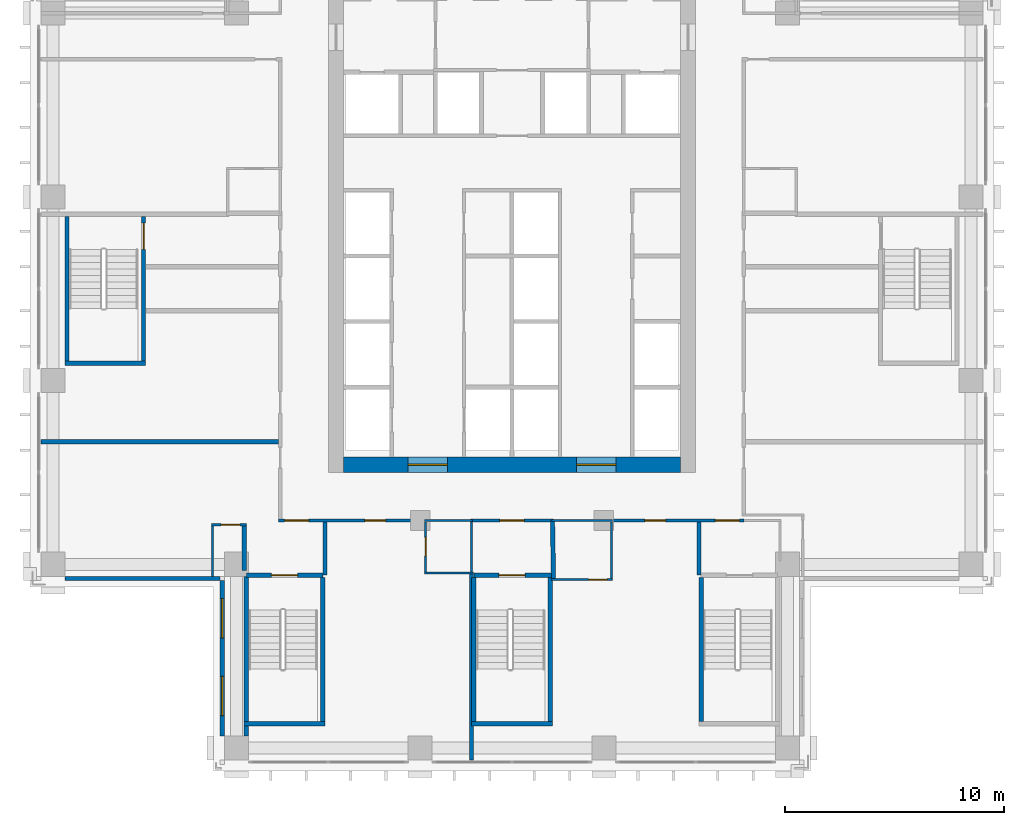
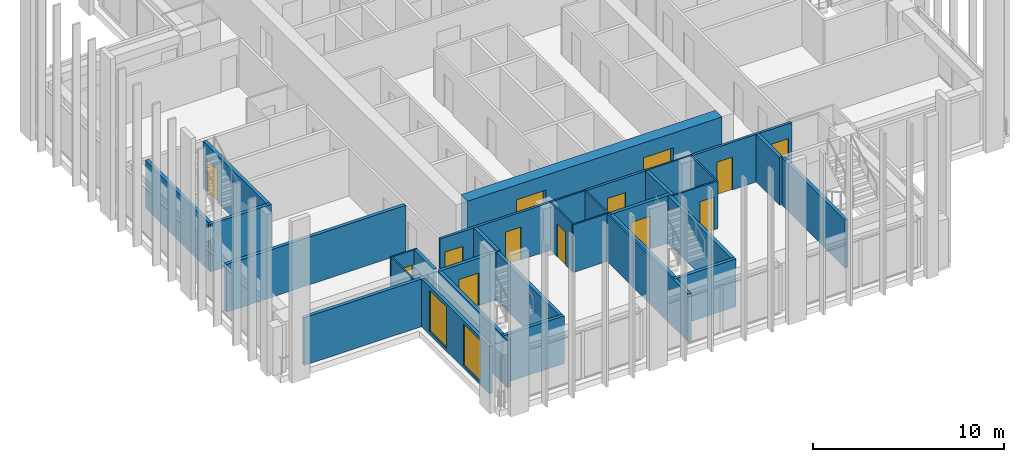
# One storey, part 9 of 16: 33 walls, 13 doors, 2 windows, 15 openings.
"""IFC4 building model written with IfcOpenShell, lengths in metres."""

import ifcopenshell
import ifcopenshell.guid

model = None  # the IFC model being written
_history = None  # IfcOwnerHistory: only IFC2X3 demands one
_inside = {}  # id of a spatial element -> (the spatial element, [elements in it])
_under = {}  # id of a project, library or spatial element -> (it, [spatial elements below it])
_declared = {}  # id of a project -> (the project, [libraries it declares])
_typed = {}  # id of a type object -> (the type object, [elements of that type])
_made_of = {}  # id of a material, layer set ... -> (it, [elements and type objects made of it])


def new_model(schema):
    """Start an empty IFC model of exactly this schema.

    Asked for "IFC4X3", IfcOpenShell would pick the latest addendum, in which some entities
    have other attributes; the version numbers below select the first issue.
    IFC2X3 requires an IfcOwnerHistory on every rooted entity: one is made here for all.
    """
    global model, _history
    if schema == "IFC4X3":
        model = ifcopenshell.file(schema_version=(4, 3, 0, 0))
    else:
        model = ifcopenshell.file(schema=schema)
    _inside.clear()
    _under.clear()
    _declared.clear()
    _typed.clear()
    _made_of.clear()
    _history = None
    if model.schema == "IFC2X3":
        org = make("IfcOrganization", Name="unknown")
        user = make(
            "IfcPersonAndOrganization",
            ThePerson=make("IfcPerson", FamilyName="unknown"),
            TheOrganization=org,
        )
        app = make(
            "IfcApplication",
            ApplicationDeveloper=org,
            Version="unknown",
            ApplicationFullName="unknown",
            ApplicationIdentifier="unknown",
        )
        _history = make(
            "IfcOwnerHistory",
            OwningUser=user,
            OwningApplication=app,
            ChangeAction="ADDED",
            CreationDate=0,
        )
    return model


def make(cls, **values):
    """One entity of the class cls with the attributes given. An attribute that is None is left unset."""
    return model.create_entity(
        cls, **{name: value for name, value in values.items() if value is not None}
    )


def rooted(cls, **values):
    """An entity with a GlobalId (a new one), such as an element, a storey or a relation."""
    return make(cls, GlobalId=ifcopenshell.guid.new(), OwnerHistory=_history, **values)


def si_unit(unit_type, name, prefix=None):
    """IfcSIUnit, for example si_unit("LENGTHUNIT", "METRE", prefix="MILLI")."""
    return make("IfcSIUnit", UnitType=unit_type, Prefix=prefix, Name=name)


def assignment(units):
    """IfcUnitAssignment: the units of a project."""
    return None if units is None else make("IfcUnitAssignment", Units=units)


def point(xyz):
    """IfcCartesianPoint."""
    return None if xyz is None else make("IfcCartesianPoint", Coordinates=xyz)


def direction(xyz):
    """IfcDirection."""
    return None if xyz is None else make("IfcDirection", DirectionRatios=xyz)


def frame(location, z_axis=None, x_axis=None):
    """IfcAxis2Placement3D, a coordinate frame: its origin and axes. An axis left out is left unset."""
    return make(
        "IfcAxis2Placement3D",
        Location=point(location),
        Axis=direction(z_axis),
        RefDirection=direction(x_axis),
    )


def frame_2d(location, x_axis=None):
    """IfcAxis2Placement2D, a coordinate frame in the plane: its origin and x axis."""
    return make(
        "IfcAxis2Placement2D", Location=point(location), RefDirection=direction(x_axis)
    )


def origin():
    """The frame at (0, 0, 0) with its axes left unset."""
    return frame((0.0, 0.0, 0.0))


def place(relative_to, where):
    """IfcLocalPlacement: puts the frame where relative to a parent placement (None: the world)."""
    return make(
        "IfcLocalPlacement", PlacementRelTo=relative_to, RelativePlacement=where
    )


def context(
    kind, dimensions, precision=None, world=None, true_north=None, identifier=None
):
    """IfcGeometricRepresentationContext, for example the 3D "Model" context."""
    return make(
        "IfcGeometricRepresentationContext",
        ContextIdentifier=identifier,
        ContextType=kind,
        CoordinateSpaceDimension=dimensions,
        Precision=precision,
        WorldCoordinateSystem=world,
        TrueNorth=true_north,
    )


def subcontext(parent, identifier, kind, view, scale=None):
    """IfcGeometricRepresentationSubContext, for example "Body" below "Model"."""
    return make(
        "IfcGeometricRepresentationSubContext",
        ContextIdentifier=identifier,
        ContextType=kind,
        ParentContext=parent,
        TargetScale=scale,
        TargetView=view,
    )


def project(units=None, contexts=None):
    """IfcProject with its units and contexts."""
    return rooted(
        "IfcProject",
        Name="project",
        RepresentationContexts=contexts,
        UnitsInContext=assignment(units),
    )


def spatial(cls, under=None, at=None, **own):
    """A site, building, storey or space (cls), placed at a placement, below another one or the project."""
    s = rooted(cls, ObjectPlacement=at, **own)
    if under is not None:
        _under.setdefault(under.id(), (under, []))[1].append(s)
    return s


def profile(cls, at=None, kind="AREA", **sizes):
    """A parametric profile (cls). Its sizes go by their IFC names, for example OverallWidth=200.0."""
    return make(cls, ProfileType=kind, Position=at, **sizes)


def rectangle(**sizes):
    """IfcRectangleProfileDef."""
    return profile("IfcRectangleProfileDef", **sizes)


def extrude(swept, where, along, depth):
    """IfcExtrudedAreaSolid: the profile swept, set in the frame where, extruded along a direction by depth."""
    return make(
        "IfcExtrudedAreaSolid",
        SweptArea=swept,
        Position=where,
        ExtrudedDirection=direction(along),
        Depth=depth,
    )


def shape(context_of_items, identifier, shape_type, items):
    """IfcShapeRepresentation: the items that make up one representation, for example the "Body"."""
    return make(
        "IfcShapeRepresentation",
        ContextOfItems=context_of_items,
        RepresentationIdentifier=identifier,
        RepresentationType=shape_type,
        Items=items,
    )


def material(Name=None, Category=None):
    """IfcMaterial."""
    return make("IfcMaterial", Name=Name, Category=Category)


def layer(
    of_material, thickness, ventilated=None, Name=None, Category=None, Priority=None
):
    """IfcMaterialLayer: one layer of a wall or slab, of a material (None: an air gap)."""
    return make(
        "IfcMaterialLayer",
        Material=of_material,
        LayerThickness=thickness,
        IsVentilated=ventilated,
        Name=Name,
        Category=Category,
        Priority=Priority,
    )


def layer_set(layers, Name=None):
    """IfcMaterialLayerSet."""
    return make("IfcMaterialLayerSet", MaterialLayers=layers, LayerSetName=Name)


def made_of(thing, what):
    """Note that an element or type object is made of a material, layer set ...; save() writes the relation."""
    if what is not None:
        _made_of.setdefault(what.id(), (what, []))[1].append(thing)
    return thing


def type_object(cls, material=None, **own):
    """A type object (cls), such as IfcWallType, which elements share."""
    return made_of(rooted(cls, **own), material)


def element(
    cls,
    number,
    at=None,
    inside=None,
    cuts=None,
    type_object=None,
    material=None,
    context=None,
    identifier="Body",
    shape_type=None,
    held_by="IfcProductDefinitionShape",
    body=None,
    shapes=None,
    **own,
):
    """One element of the class cls, such as IfcWall. Its Tag is "e" and its number.

    at: its placement. inside: the storey or other place that contains it. cuts: it is an
    opening in that element (IfcRelVoidsElement). A single representation is given by context,
    identifier, shape_type and body (its items); several are given by shapes. held_by: the class
    of the entity that holds the representations. save() writes the other relations.
    """
    e = rooted(cls, Tag="e%d" % number, ObjectPlacement=at, **own)
    if body is not None:
        shapes = [shape(context, identifier, shape_type, body)]
    if shapes is not None:
        e.Representation = make(held_by, Representations=shapes)
    if inside is not None:
        _inside.setdefault(inside.id(), (inside, []))[1].append(e)
    if cuts is not None:
        rooted(
            "IfcRelVoidsElement", RelatingBuildingElement=cuts, RelatedOpeningElement=e
        )
    if type_object is not None:
        _typed.setdefault(type_object.id(), (type_object, []))[1].append(e)
    return made_of(e, material)


def fill(opening, filler):
    """IfcRelFillsElement: the door or window that sits in an opening."""
    return rooted(
        "IfcRelFillsElement",
        RelatingOpeningElement=opening,
        RelatedBuildingElement=filler,
    )


def aggregate(whole, parts):
    """IfcRelAggregates: a whole, such as a stair, and the parts it consists of."""
    return rooted("IfcRelAggregates", RelatingObject=whole, RelatedObjects=parts)


def save(model, path):
    """Write the relations noted so far, then the file.

    IfcRelAggregates (storeys below a building ...), IfcRelContainedInSpatialStructure (elements
    in a storey), IfcRelDefinesByType, IfcRelAssociatesMaterial and IfcRelDeclares: one each for
    every whole, place, type object, material and project.
    """
    for whole, parts in _under.values():
        aggregate(whole, parts)
    for where, things in _inside.values():
        rooted(
            "IfcRelContainedInSpatialStructure",
            RelatedElements=things,
            RelatingStructure=where,
        )
    for kind, things in _typed.values():
        rooted("IfcRelDefinesByType", RelatedObjects=things, RelatingType=kind)
    for what, things in _made_of.values():
        rooted("IfcRelAssociatesMaterial", RelatedObjects=things, RelatingMaterial=what)
    for by, libraries in _declared.values():
        rooted("IfcRelDeclares", RelatingContext=by, RelatedDefinitions=libraries)
    model.write(path)


model = new_model("IFC4")

# Units and contexts
model_context = context("Model", 3, precision=1e-05, world=origin(), true_north=direction((0.0, 1.0)))
body_context = subcontext(model_context, "Body", "Model", "MODEL_VIEW")
ifc_project = project(units=[si_unit("LENGTHUNIT", "METRE"), si_unit("AREAUNIT", "SQUARE_METRE"), si_unit("VOLUMEUNIT", "CUBIC_METRE"), si_unit("PLANEANGLEUNIT", "RADIAN"), si_unit("MASSUNIT", "GRAM", prefix="KILO")], contexts=[model_context])

# Site, building, storey
site_placement = place(None, origin())
site = spatial("IfcSite", under=ifc_project, at=site_placement, CompositionType="ELEMENT")
building_placement = place(site_placement, origin())
building = spatial("IfcBuilding", under=site, at=building_placement, Name="Vermilion Ogive Tower", CompositionType="ELEMENT")
storey_placement = place(building_placement, frame((0.0, 0.0, 133.10009765625)))
storey = spatial("IfcBuildingStorey", under=building, at=storey_placement, Name="L33", CompositionType="ELEMENT", Elevation=133.10009765625)

# Wall, openings, doors
ifc_material_1 = material(Name="Concrete B60", Category="concrete")
ifc_layer_1 = layer(ifc_material_1, 0.699951171875)
ifc_layer_set_1 = layer_set([ifc_layer_1], Name="Core wall 700 B60")
wall_type_1 = type_object("IfcWallType", Name="Core wall 700 B60", PredefinedType="SHEAR", material=ifc_layer_set_1)
wall_1_placement = place(storey_placement, frame((-7.699951171875, -8.050048828125, -0.400146484375), z_axis=(0.0, 0.0, 1.0), x_axis=(1.0, 0.0, 0.0)))
wall_1 = element("IfcWall", 1, at=wall_1_placement, inside=storey, type_object=wall_type_1, Name="L33-CORE-S", PredefinedType="SHEAR", context=body_context, shape_type="SweptSolid", body=[
    extrude(rectangle(XDim=15.39990234375, YDim=0.699951171875, at=frame_2d((7.699951171875, 0.0))), origin(), (0.0, 0.0, 1.0), 3.449951171875),
])
opening_1_placement = place(wall_1_placement, frame((2.949951171875, 0.0, 0.39990234375)))
opening_1 = element("IfcOpeningElement", 2, at=opening_1_placement, cuts=wall_1, Name="Opening DAH025", PredefinedType="OPENING", context=body_context, shape_type="SweptSolid", body=[
    extrude(rectangle(XDim=1.800048828125, YDim=2.10009765625, at=frame_2d((0.89990234375, 1.050048828125))), frame((0.0, 0.35986328125, 0.0), z_axis=(0.0, -1.0, 0.0), x_axis=(1.0, 0.0, 0.0)), (0.0, 0.0, 1.0), 0.719970703125),
])
opening_2_placement = place(wall_1_placement, frame((10.64990234375, 0.0, 0.39990234375)))
opening_2 = element("IfcOpeningElement", 3, at=opening_2_placement, cuts=wall_1, Name="Opening DAH026", PredefinedType="OPENING", context=body_context, shape_type="SweptSolid", body=[
    extrude(rectangle(XDim=1.800048828125, YDim=2.10009765625, at=frame_2d((0.89990234375, 1.050048828125))), frame((0.0, 0.35986328125, 0.0), z_axis=(0.0, -1.0, 0.0), x_axis=(1.0, 0.0, 0.0)), (0.0, 0.0, 1.0), 0.719970703125),
])
ifc_material_2 = material(Name="Timber door leaf", Category="wood")
door_type_1 = type_object("IfcDoorType", Name="Core entry door 1800 x 2100 FD60S", OperationType="DOUBLE_DOOR_SINGLE_SWING", PredefinedType="DOOR", material=ifc_material_2)
door_1_placement = place(opening_1_placement, origin())
door_1 = element("IfcDoor", 4, at=door_1_placement, inside=storey, type_object=door_type_1, Name="L33-CK-XD1", OperationType="SINGLE_SWING_LEFT", OverallHeight=2.10009765625, OverallWidth=1.800048828125, PredefinedType="DOOR", context=body_context, shape_type="SweptSolid", body=[
    extrude(rectangle(XDim=1.800048828125, YDim=2.10009765625, at=frame_2d((0.89990234375, 1.050048828125))), frame((0.0, 0.02490234375, 0.0), z_axis=(0.0, -1.0, 0.0), x_axis=(1.0, 0.0, 0.0)), (0.0, 0.0, 1.0), 0.050048828125),
])
fill(opening_1, door_1)
door_2_placement = place(opening_2_placement, origin())
door_2 = element("IfcDoor", 5, at=door_2_placement, inside=storey, type_object=door_type_1, Name="L33-CK-XD2", OperationType="SINGLE_SWING_LEFT", OverallHeight=2.10009765625, OverallWidth=1.800048828125, PredefinedType="DOOR", context=body_context, shape_type="SweptSolid", body=[
    extrude(rectangle(XDim=1.800048828125, YDim=2.10009765625, at=frame_2d((0.89990234375, 1.050048828125))), frame((0.0, 0.02490234375, 0.0), z_axis=(0.0, -1.0, 0.0), x_axis=(1.0, 0.0, 0.0)), (0.0, 0.0, 1.0), 0.050048828125),
])
fill(opening_2, door_2)

# Wall, opening, door
ifc_material_3 = material(Name="Gypsum board partition on steel studs", Category="steel")
ifc_layer_2 = layer(ifc_material_3, 0.10009765625)
ifc_layer_set_2 = layer_set([ifc_layer_2], Name="Partition 100 bath")
wall_type_2 = type_object("IfcWallType", Name="Partition 100 bath", PredefinedType="PARTITIONING", material=ifc_layer_set_2)
wall_2_placement = place(storey_placement, frame((1.802001953125, -13.300048828125, 0.0), z_axis=(0.0, 0.0, 1.0), x_axis=(1.0, 0.0, 0.0)))
wall_2 = element("IfcWall", 6, at=wall_2_placement, inside=storey, type_object=wall_type_2, Name="L33-W-W002", PredefinedType="PARTITIONING", context=body_context, shape_type="SweptSolid", body=[
    extrude(rectangle(XDim=2.7958984375, YDim=0.10009765625, at=frame_2d((1.39794921875, 0.0))), origin(), (0.0, 0.0, 1.0), 3.0498046875),
])
opening_3_placement = place(wall_2_placement, frame((1.697998046875, 0.0, 0.0)))
opening_3 = element("IfcOpeningElement", 7, at=opening_3_placement, cuts=wall_2, Name="Opening D3G1010", PredefinedType="OPENING", context=body_context, shape_type="SweptSolid", body=[
    extrude(rectangle(XDim=0.85009765625, YDim=2.10009765625, at=frame_2d((0.425048828125, 1.050048828125))), frame((0.0, 0.06005859375, 0.0), z_axis=(0.0, -1.0, 0.0), x_axis=(1.0, 0.0, 0.0)), (0.0, 0.0, 1.0), 0.1201171875),
])
ifc_material_4 = material(Name="Timber door leaf", Category="wood")
door_type_2 = type_object("IfcDoorType", Name="Bath door 850 x 2100 FD30", OperationType="SINGLE_SWING_LEFT", PredefinedType="DOOR", material=ifc_material_4)
door_3_placement = place(opening_3_placement, origin())
door_3 = element("IfcDoor", 8, at=door_3_placement, inside=storey, type_object=door_type_2, Name="L33-D-D010", OperationType="SINGLE_SWING_RIGHT", OverallHeight=2.10009765625, OverallWidth=0.85009765625, PredefinedType="DOOR", context=body_context, shape_type="SweptSolid", body=[
    extrude(rectangle(XDim=0.85009765625, YDim=2.10009765625, at=frame_2d((0.425048828125, 1.050048828125))), frame((0.0, 0.02490234375, 0.0), z_axis=(0.0, -1.0, 0.0), x_axis=(1.0, 0.0, 0.0)), (0.0, 0.0, 1.0), 0.050048828125),
])
fill(opening_3, door_3)

# Wall
wall_3_placement = place(storey_placement, frame((-4.0, -13.0, 0.0), z_axis=(0.0, 0.0, 1.0), x_axis=(1.0, 0.0, 0.0)))
element("IfcWall", 9, at=wall_3_placement, inside=storey, type_object=wall_type_2, Name="L33-W-W006", PredefinedType="PARTITIONING", context=body_context, shape_type="SweptSolid", body=[
    extrude(rectangle(XDim=2.25, YDim=0.10009765625, at=frame_2d((1.125, 0.0))), origin(), (0.0, 0.0, 1.0), 3.0498046875),
])

# Wall, opening, door
wall_4_placement = place(storey_placement, frame((-13.75, -10.7900390625, 0.0), z_axis=(0.0, 0.0, 1.0), x_axis=(1.0, 0.0, 0.0)))
wall_4 = element("IfcWall", 10, at=wall_4_placement, inside=storey, type_object=wall_type_2, Name="L33-W-W007", PredefinedType="PARTITIONING", context=body_context, shape_type="SweptSolid", body=[
    extrude(rectangle(XDim=1.60009765625, YDim=0.10009765625, at=frame_2d((0.800048828125, 0.0))), origin(), (0.0, 0.0, 1.0), 3.0498046875),
])
opening_4_placement = place(wall_4_placement, frame((0.449951171875, 0.0, 0.0)))
opening_4 = element("IfcOpeningElement", 11, at=opening_4_placement, cuts=wall_4, Name="Opening D3G1002", PredefinedType="OPENING", context=body_context, shape_type="SweptSolid", body=[
    extrude(rectangle(XDim=0.85009765625, YDim=2.10009765625, at=frame_2d((0.425048828125, 1.050048828125))), frame((0.0, 0.06005859375, 0.0), z_axis=(0.0, -1.0, 0.0), x_axis=(1.0, 0.0, 0.0)), (0.0, 0.0, 1.0), 0.1201171875),
])
door_4_placement = place(opening_4_placement, origin())
door_4 = element("IfcDoor", 12, at=door_4_placement, inside=storey, type_object=door_type_2, Name="L33-D-D002", OperationType="SINGLE_SWING_RIGHT", OverallHeight=2.10009765625, OverallWidth=0.85009765625, PredefinedType="DOOR", context=body_context, shape_type="SweptSolid", body=[
    extrude(rectangle(XDim=0.85009765625, YDim=2.10009765625, at=frame_2d((0.425048828125, 1.050048828125))), frame((0.0, 0.02490234375, 0.0), z_axis=(0.0, -1.0, 0.0), x_axis=(1.0, 0.0, 0.0)), (0.0, 0.0, 1.0), 0.050048828125),
])
fill(opening_4, door_4)

# Walls
wall_5_placement = place(storey_placement, frame((-4.0, -10.60009765625, 0.0), z_axis=(0.0, 0.0, 1.0), x_axis=(1.0, 0.0, 0.0)))
element("IfcWall", 13, at=wall_5_placement, inside=storey, type_object=wall_type_2, Name="L33-W-W009", PredefinedType="PARTITIONING", context=body_context, shape_type="SweptSolid", body=[
    extrude(rectangle(XDim=2.199951171875, YDim=0.10009765625, at=frame_2d((1.10009765625, 0.0))), origin(), (0.0, 0.0, 1.0), 3.0498046875),
])
wall_6_placement = place(storey_placement, frame((1.800048828125, -10.60009765625, 0.0), z_axis=(0.0, 0.0, 1.0), x_axis=(1.0, 0.0, 0.0)))
element("IfcWall", 14, at=wall_6_placement, inside=storey, type_object=wall_type_2, Name="L33-W-W011", PredefinedType="PARTITIONING", context=body_context, shape_type="SweptSolid", body=[
    extrude(rectangle(XDim=2.800048828125, YDim=0.10009765625, at=frame_2d((1.39990234375, 0.0))), origin(), (0.0, 0.0, 1.0), 3.0498046875),
])
wall_7_placement = place(storey_placement, frame((-13.699951171875, -13.14990234375, 0.0), z_axis=(0.0, 0.0, 1.0), x_axis=(0.0, 1.0, 0.0)))
element("IfcWall", 15, at=wall_7_placement, inside=storey, type_object=wall_type_2, Name="L33-W-W039", PredefinedType="PARTITIONING", context=body_context, shape_type="SweptSolid", body=[
    extrude(rectangle(XDim=2.309814453125, YDim=0.10009765625, at=frame_2d((1.15478515625, 0.0))), origin(), (0.0, 0.0, 1.0), 3.0498046875),
])

# Wall, opening, door
wall_8_placement = place(storey_placement, frame((-3.949951171875, -12.949951171875, 0.0), z_axis=(0.0, 0.0, 1.0), x_axis=(0.0, 1.0, 0.0)))
wall_8 = element("IfcWall", 16, at=wall_8_placement, inside=storey, type_object=wall_type_2, Name="L33-W-W050", PredefinedType="PARTITIONING", context=body_context, shape_type="SweptSolid", body=[
    extrude(rectangle(XDim=2.27490234375, YDim=0.10009765625, at=frame_2d((1.137451171875, 0.0))), origin(), (0.0, 0.0, 1.0), 3.0498046875),
])
opening_5_placement = place(wall_8_placement, frame((0.724853515625, 0.0, 0.0)))
opening_5 = element("IfcOpeningElement", 17, at=opening_5_placement, cuts=wall_8, Name="Opening D3G1008", PredefinedType="OPENING", context=body_context, shape_type="SweptSolid", body=[
    extrude(rectangle(XDim=0.85009765625, YDim=2.10009765625, at=frame_2d((0.425048828125, 1.050048828125))), frame((0.0, 0.06005859375, 0.0), z_axis=(0.0, -1.0, 0.0), x_axis=(1.0, 0.0, 0.0)), (0.0, 0.0, 1.0), 0.1201171875),
])
door_5_placement = place(opening_5_placement, origin())
door_5 = element("IfcDoor", 18, at=door_5_placement, inside=storey, type_object=door_type_2, Name="L33-D-D008", OperationType="SINGLE_SWING_RIGHT", OverallHeight=2.10009765625, OverallWidth=0.85009765625, PredefinedType="DOOR", context=body_context, shape_type="SweptSolid", body=[
    extrude(rectangle(XDim=0.85009765625, YDim=2.10009765625, at=frame_2d((0.425048828125, 1.050048828125))), frame((0.0, 0.02490234375, 0.0), z_axis=(0.0, -1.0, 0.0), x_axis=(1.0, 0.0, 0.0)), (0.0, 0.0, 1.0), 0.050048828125),
])
fill(opening_5, door_5)

# Walls
wall_9_placement = place(storey_placement, frame((-1.85009765625, -12.949951171875, 0.0), z_axis=(0.0, 0.0, 1.0), x_axis=(0.0, 1.0, 0.0)))
element("IfcWall", 19, at=wall_9_placement, inside=storey, type_object=wall_type_2, Name="L33-W-W052", PredefinedType="PARTITIONING", context=body_context, shape_type="SweptSolid", body=[
    extrude(rectangle(XDim=2.27490234375, YDim=0.10009765625, at=frame_2d((1.137451171875, 0.0))), origin(), (0.0, 0.0, 1.0), 3.0498046875),
])
wall_10_placement = place(storey_placement, frame((4.550048828125, -13.248046875, 0.0), z_axis=(0.0, 0.0, 1.0), x_axis=(0.0, 1.0, 0.0)))
element("IfcWall", 20, at=wall_10_placement, inside=storey, type_object=wall_type_2, Name="L33-W-W056", PredefinedType="PARTITIONING", context=body_context, shape_type="SweptSolid", body=[
    extrude(rectangle(XDim=2.572998046875, YDim=0.10009765625, at=frame_2d((1.28662109375, 0.0))), origin(), (0.0, 0.0, 1.0), 3.0498046875),
])

# Wall, openings, doors
ifc_material_5 = material(Name="Gypsum board partition on steel studs", Category="steel")
ifc_layer_3 = layer(ifc_material_5, 0.14990234375)
ifc_layer_set_3 = layer_set([ifc_layer_3], Name="Partition 150 corridor")
wall_type_3 = type_object("IfcWallType", Name="Partition 150 corridor", PredefinedType="PARTITIONING", material=ifc_layer_set_3)
wall_11_placement = place(storey_placement, frame((-10.675048828125, -10.60009765625, 0.0), z_axis=(0.0, 0.0, 1.0), x_axis=(1.0, 0.0, 0.0)))
wall_11 = element("IfcWall", 21, at=wall_11_placement, inside=storey, type_object=wall_type_3, Name="L33-W-W008", PredefinedType="PARTITIONING", context=body_context, shape_type="SweptSolid", body=[
    extrude(rectangle(XDim=6.775146484375, YDim=0.14990234375, at=frame_2d((3.3876953125, 0.0))), origin(), (0.0, 0.0, 1.0), 3.0498046875),
])
opening_6_placement = place(wall_11_placement, frame((3.949951171875, 0.0, 0.0)))
opening_6 = element("IfcOpeningElement", 22, at=opening_6_placement, cuts=wall_11, Name="Opening D3G1007", PredefinedType="OPENING", context=body_context, shape_type="SweptSolid", body=[
    extrude(rectangle(XDim=0.949951171875, YDim=2.10009765625, at=frame_2d((0.47509765625, 1.050048828125))), frame((0.0, 0.0849609375, 0.0), z_axis=(0.0, -1.0, 0.0), x_axis=(1.0, 0.0, 0.0)), (0.0, 0.0, 1.0), 0.169921875),
])
opening_7_placement = place(wall_11_placement, frame((0.275146484375, 0.0, 0.0)))
opening_7 = element("IfcOpeningElement", 23, at=opening_7_placement, cuts=wall_11, Name="Opening D3G1017", PredefinedType="OPENING", context=body_context, shape_type="SweptSolid", body=[
    extrude(rectangle(XDim=1.10009765625, YDim=2.10009765625, at=frame_2d((0.550048828125, 1.050048828125))), frame((0.0, 0.0849609375, 0.0), z_axis=(0.0, -1.0, 0.0), x_axis=(1.0, 0.0, 0.0)), (0.0, 0.0, 1.0), 0.169921875),
])
ifc_material_6 = material(Name="Timber door leaf", Category="wood")
door_type_3 = type_object("IfcDoorType", Name="Stair door 1100 x 2100 FD60S", OperationType="SINGLE_SWING_LEFT", PredefinedType="DOOR", material=ifc_material_6)
door_6_placement = place(opening_7_placement, origin())
door_6 = element("IfcDoor", 24, at=door_6_placement, inside=storey, type_object=door_type_3, Name="L33-D-D017", OperationType="SINGLE_SWING_RIGHT", OverallHeight=2.10009765625, OverallWidth=1.10009765625, PredefinedType="DOOR", context=body_context, shape_type="SweptSolid", body=[
    extrude(rectangle(XDim=1.10009765625, YDim=2.10009765625, at=frame_2d((0.550048828125, 1.050048828125))), frame((0.0, 0.02490234375, 0.0), z_axis=(0.0, -1.0, 0.0), x_axis=(1.0, 0.0, 0.0)), (0.0, 0.0, 1.0), 0.050048828125),
])
fill(opening_7, door_6)
ifc_material_7 = material(Name="Timber door leaf", Category="wood")
door_type_4 = type_object("IfcDoorType", Name="Unit door 950 x 2100 FD30S", OperationType="SINGLE_SWING_LEFT", PredefinedType="DOOR", material=ifc_material_7)
door_7_placement = place(opening_6_placement, origin())
door_7 = element("IfcDoor", 25, at=door_7_placement, inside=storey, type_object=door_type_4, Name="L33-D-D007", OperationType="SINGLE_SWING_RIGHT", OverallHeight=2.10009765625, OverallWidth=0.949951171875, PredefinedType="DOOR", context=body_context, shape_type="SweptSolid", body=[
    extrude(rectangle(XDim=0.949951171875, YDim=2.10009765625, at=frame_2d((0.47509765625, 1.050048828125))), frame((0.0, 0.02490234375, 0.0), z_axis=(0.0, -1.0, 0.0), x_axis=(1.0, 0.0, 0.0)), (0.0, 0.0, 1.0), 0.050048828125),
])
fill(opening_6, door_7)

# Wall, opening, door
wall_12_placement = place(storey_placement, frame((-1.89990234375, -10.60009765625, 0.0), z_axis=(0.0, 0.0, 1.0), x_axis=(1.0, 0.0, 0.0)))
wall_12 = element("IfcWall", 26, at=wall_12_placement, inside=storey, type_object=wall_type_3, Name="L33-W-W010", PredefinedType="PARTITIONING", context=body_context, shape_type="SweptSolid", body=[
    extrude(rectangle(XDim=3.7998046875, YDim=0.14990234375, at=frame_2d((1.89990234375, 0.0))), origin(), (0.0, 0.0, 1.0), 3.0498046875),
])
opening_8_placement = place(wall_12_placement, frame((1.349853515625, 0.0, 0.0)))
opening_8 = element("IfcOpeningElement", 27, at=opening_8_placement, cuts=wall_12, Name="Opening D3G1019", PredefinedType="OPENING", context=body_context, shape_type="SweptSolid", body=[
    extrude(rectangle(XDim=1.10009765625, YDim=2.10009765625, at=frame_2d((0.550048828125, 1.050048828125))), frame((0.0, 0.0849609375, 0.0), z_axis=(0.0, -1.0, 0.0), x_axis=(1.0, 0.0, 0.0)), (0.0, 0.0, 1.0), 0.169921875),
])
door_8_placement = place(opening_8_placement, origin())
door_8 = element("IfcDoor", 28, at=door_8_placement, inside=storey, type_object=door_type_3, Name="L33-D-D019", OperationType="SINGLE_SWING_RIGHT", OverallHeight=2.10009765625, OverallWidth=1.10009765625, PredefinedType="DOOR", context=body_context, shape_type="SweptSolid", body=[
    extrude(rectangle(XDim=1.10009765625, YDim=2.10009765625, at=frame_2d((0.550048828125, 1.050048828125))), frame((0.0, 0.02490234375, 0.0), z_axis=(0.0, -1.0, 0.0), x_axis=(1.0, 0.0, 0.0)), (0.0, 0.0, 1.0), 0.050048828125),
])
fill(opening_8, door_8)

# Wall, openings, doors
wall_13_placement = place(storey_placement, frame((4.5, -10.60009765625, 0.0), z_axis=(0.0, 0.0, 1.0), x_axis=(1.0, 0.0, 0.0)))
wall_13 = element("IfcWall", 29, at=wall_13_placement, inside=storey, type_object=wall_type_3, Name="L33-W-W012", PredefinedType="PARTITIONING", context=body_context, shape_type="SweptSolid", body=[
    extrude(rectangle(XDim=6.10009765625, YDim=0.14990234375, at=frame_2d((3.050048828125, 0.0))), origin(), (0.0, 0.0, 1.0), 3.0498046875),
])
opening_9_placement = place(wall_13_placement, frame((1.574951171875, 0.0, 0.0)))
opening_9 = element("IfcOpeningElement", 30, at=opening_9_placement, cuts=wall_13, Name="Opening D3G1009", PredefinedType="OPENING", context=body_context, shape_type="SweptSolid", body=[
    extrude(rectangle(XDim=0.949951171875, YDim=2.10009765625, at=frame_2d((0.47509765625, 1.050048828125))), frame((0.0, 0.0849609375, 0.0), z_axis=(0.0, -1.0, 0.0), x_axis=(1.0, 0.0, 0.0)), (0.0, 0.0, 1.0), 0.169921875),
])
opening_10_placement = place(wall_13_placement, frame((4.800048828125, 0.0, 0.0)))
opening_10 = element("IfcOpeningElement", 31, at=opening_10_placement, cuts=wall_13, Name="Opening D3G1021", PredefinedType="OPENING", context=body_context, shape_type="SweptSolid", body=[
    extrude(rectangle(XDim=1.10009765625, YDim=2.10009765625, at=frame_2d((0.550048828125, 1.050048828125))), frame((0.0, 0.0849609375, 0.0), z_axis=(0.0, -1.0, 0.0), x_axis=(1.0, 0.0, 0.0)), (0.0, 0.0, 1.0), 0.169921875),
])
door_9_placement = place(opening_10_placement, origin())
door_9 = element("IfcDoor", 32, at=door_9_placement, inside=storey, type_object=door_type_3, Name="L33-D-D021", OperationType="SINGLE_SWING_RIGHT", OverallHeight=2.10009765625, OverallWidth=1.10009765625, PredefinedType="DOOR", context=body_context, shape_type="SweptSolid", body=[
    extrude(rectangle(XDim=1.10009765625, YDim=2.10009765625, at=frame_2d((0.550048828125, 1.050048828125))), frame((0.0, 0.02490234375, 0.0), z_axis=(0.0, -1.0, 0.0), x_axis=(1.0, 0.0, 0.0)), (0.0, 0.0, 1.0), 0.050048828125),
])
fill(opening_10, door_9)
door_10_placement = place(opening_9_placement, origin())
door_10 = element("IfcDoor", 33, at=door_10_placement, inside=storey, type_object=door_type_4, Name="L33-D-D009", OperationType="SINGLE_SWING_LEFT", OverallHeight=2.10009765625, OverallWidth=0.949951171875, PredefinedType="DOOR", context=body_context, shape_type="SweptSolid", body=[
    extrude(rectangle(XDim=0.949951171875, YDim=2.10009765625, at=frame_2d((0.47509765625, 1.050048828125))), frame((0.0, 0.02490234375, 0.0), z_axis=(0.0, -1.0, 0.0), x_axis=(1.0, 0.0, 0.0)), (0.0, 0.0, 1.0), 0.050048828125),
])
fill(opening_9, door_10)

# Walls
ifc_material_8 = material(Name="Gypsum board partition on steel studs", Category="steel")
ifc_layer_4 = layer(ifc_material_8, 0.199951171875)
ifc_layer_set_4 = layer_set([ifc_layer_4], Name="Partition 200 party")
wall_type_4 = type_object("IfcWallType", Name="Partition 200 party", PredefinedType="PARTITIONING", material=ifc_layer_set_4)
wall_14_placement = place(storey_placement, frame((-21.550048828125, -7.0, 0.0), z_axis=(0.0, 0.0, 1.0), x_axis=(1.0, 0.0, 0.0)))
element("IfcWall", 34, at=wall_14_placement, inside=storey, type_object=wall_type_4, Name="L33-W-W015", PredefinedType="PARTITIONING", context=body_context, shape_type="SweptSolid", body=[
    extrude(rectangle(XDim=10.875, YDim=0.199951171875, at=frame_2d((5.4375, 0.0))), origin(), (0.0, 0.0, 1.0), 3.0498046875),
])
wall_15_placement = place(storey_placement, frame((-12.25, -12.889892578125, 0.0), z_axis=(0.0, 0.0, 1.0), x_axis=(0.0, 1.0, 0.0)))
element("IfcWall", 35, at=wall_15_placement, inside=storey, type_object=wall_type_4, Name="L33-W-W043", PredefinedType="PARTITIONING", context=body_context, shape_type="SweptSolid", body=[
    extrude(rectangle(XDim=2.0498046875, YDim=0.199951171875, at=frame_2d((1.02490234375, 0.0))), origin(), (0.0, 0.0, 1.0), 3.0498046875),
])
for number, where, z_axis, x_axis, name in (
    (36, (-8.550048828125, -13.10009765625, 0.0), (0.0, 0.0, 1.0), (0.0, 1.0, 0.0), "L33-W-W049"),
    (37, (8.550048828125, -13.10009765625, 0.0), (0.0, 0.0, 1.0), (0.0, 1.0, 0.0), "L33-W-W057"),
):
    element("IfcWall", number, at=place(storey_placement, frame(where, z_axis=z_axis, x_axis=x_axis)), inside=storey, type_object=wall_type_4, Name=name, PredefinedType="PARTITIONING", context=body_context, shape_type="SweptSolid", body=[
        extrude(rectangle(XDim=2.425048828125, YDim=0.199951171875, at=frame_2d((1.21240234375, 0.0))), origin(), (0.0, 0.0, 1.0), 3.0498046875),
    ])
ifc_material_9 = material(Name="Concrete B60", Category="concrete")
ifc_layer_5 = layer(ifc_material_9, 0.199951171875)
ifc_layer_set_5 = layer_set([ifc_layer_5], Name="Stair shaft wall 200 Concrete B60")
wall_type_5 = type_object("IfcWallType", Name="Stair shaft wall 200 Concrete B60", PredefinedType="SOLIDWALL", material=ifc_layer_set_5)
wall_16_placement = place(storey_placement, frame((-1.847900390625, -19.89990234375, 0.0), z_axis=(0.0, 0.0, 1.0), x_axis=(1.0, 0.0, 0.0)))
element("IfcWall", 38, at=wall_16_placement, inside=storey, type_object=wall_type_5, Name="L33-W-W001", PredefinedType="SOLIDWALL", context=body_context, shape_type="SweptSolid", body=[
    extrude(rectangle(XDim=3.69580078125, YDim=0.199951171875, at=frame_2d((1.847900390625, 0.0))), origin(), (0.0, 0.0, 1.0), 3.0498046875),
])

# Wall, opening, door
wall_17_placement = place(storey_placement, frame((-12.14990234375, -13.10009765625, 0.0), z_axis=(0.0, 0.0, 1.0), x_axis=(1.0, 0.0, 0.0)))
wall_17 = element("IfcWall", 39, at=wall_17_placement, inside=storey, type_object=wall_type_5, Name="L33-W-W003", PredefinedType="SOLIDWALL", context=body_context, shape_type="SweptSolid", body=[
    extrude(rectangle(XDim=3.5, YDim=0.199951171875, at=frame_2d((1.75, 0.0))), origin(), (0.0, 0.0, 1.0), 3.0498046875),
])
opening_11_placement = place(wall_17_placement, frame((1.14990234375, 0.0, 0.0)))
opening_11 = element("IfcOpeningElement", 40, at=opening_11_placement, cuts=wall_17, Name="Opening D3G1018", PredefinedType="OPENING", context=body_context, shape_type="SweptSolid", body=[
    extrude(rectangle(XDim=1.199951171875, YDim=2.10009765625, at=frame_2d((0.60009765625, 1.050048828125))), frame((0.0, 0.10986328125, 0.0), z_axis=(0.0, -1.0, 0.0), x_axis=(1.0, 0.0, 0.0)), (0.0, 0.0, 1.0), 0.219970703125),
])
ifc_material_10 = material(Name="Timber door leaf", Category="wood")
door_type_5 = type_object("IfcDoorType", Name="Stair door 1200 x 2100 FD60S", OperationType="SINGLE_SWING_LEFT", PredefinedType="DOOR", material=ifc_material_10)
door_11_placement = place(opening_11_placement, origin())
door_11 = element("IfcDoor", 41, at=door_11_placement, inside=storey, type_object=door_type_5, Name="L33-D-D018", OperationType="SINGLE_SWING_RIGHT", OverallHeight=2.10009765625, OverallWidth=1.199951171875, PredefinedType="DOOR", context=body_context, shape_type="SweptSolid", body=[
    extrude(rectangle(XDim=1.199951171875, YDim=2.10009765625, at=frame_2d((0.60009765625, 1.050048828125))), frame((0.0, 0.02490234375, 0.0), z_axis=(0.0, -1.0, 0.0), x_axis=(1.0, 0.0, 0.0)), (0.0, 0.0, 1.0), 0.050048828125),
])
fill(opening_11, door_11)

wall_18_placement = place(storey_placement, frame((-1.748046875, -13.10009765625, 0.0), z_axis=(0.0, 0.0, 1.0), x_axis=(1.0, 0.0, 0.0)))
wall_18 = element("IfcWall", 42, at=wall_18_placement, inside=storey, type_object=wall_type_5, Name="L33-W-W004", PredefinedType="SOLIDWALL", context=body_context, shape_type="SweptSolid", body=[
    extrude(rectangle(XDim=3.546142578125, YDim=0.199951171875, at=frame_2d((1.77294921875, 0.0))), origin(), (0.0, 0.0, 1.0), 3.0498046875),
])
opening_12_placement = place(wall_18_placement, frame((1.14794921875, 0.0, 0.0)))
opening_12 = element("IfcOpeningElement", 43, at=opening_12_placement, cuts=wall_18, Name="Opening D3G1020", PredefinedType="OPENING", context=body_context, shape_type="SweptSolid", body=[
    extrude(rectangle(XDim=1.199951171875, YDim=2.10009765625, at=frame_2d((0.60009765625, 1.050048828125))), frame((0.0, 0.10986328125, 0.0), z_axis=(0.0, -1.0, 0.0), x_axis=(1.0, 0.0, 0.0)), (0.0, 0.0, 1.0), 0.219970703125),
])
door_12_placement = place(opening_12_placement, origin())
door_12 = element("IfcDoor", 44, at=door_12_placement, inside=storey, type_object=door_type_5, Name="L33-D-D020", OperationType="SINGLE_SWING_RIGHT", OverallHeight=2.10009765625, OverallWidth=1.199951171875, PredefinedType="DOOR", context=body_context, shape_type="SweptSolid", body=[
    extrude(rectangle(XDim=1.199951171875, YDim=2.10009765625, at=frame_2d((0.60009765625, 1.050048828125))), frame((0.0, 0.02490234375, 0.0), z_axis=(0.0, -1.0, 0.0), x_axis=(1.0, 0.0, 0.0)), (0.0, 0.0, 1.0), 0.050048828125),
])
fill(opening_12, door_12)

# Walls
wall_19_placement = place(storey_placement, frame((-20.447998046875, -3.39990234375, 0.0), z_axis=(0.0, 0.0, 1.0), x_axis=(1.0, 0.0, 0.0)))
element("IfcWall", 45, at=wall_19_placement, inside=storey, type_object=wall_type_5, Name="L33-W-W017", PredefinedType="SOLIDWALL", context=body_context, shape_type="SweptSolid", body=[
    extrude(rectangle(XDim=3.696044921875, YDim=0.199951171875, at=frame_2d((1.84814453125, 0.0))), origin(), (0.0, 0.0, 1.0), 3.0498046875),
])
wall_20_placement = place(storey_placement, frame((-20.35009765625, -3.298095703125, 0.0), z_axis=(0.0, 0.0, 1.0), x_axis=(0.0, 1.0, 0.0)))
element("IfcWall", 46, at=wall_20_placement, inside=storey, type_object=wall_type_5, Name="L33-W-W037", PredefinedType="SOLIDWALL", context=body_context, shape_type="SweptSolid", body=[
    extrude(rectangle(XDim=6.59619140625, YDim=0.199951171875, at=frame_2d((3.298095703125, 0.0))), origin(), (0.0, 0.0, 1.0), 3.0498046875),
])

# Wall, opening, door
wall_21_placement = place(storey_placement, frame((-16.85009765625, -3.298095703125, 0.0), z_axis=(0.0, 0.0, 1.0), x_axis=(0.0, 1.0, 0.0)))
wall_21 = element("IfcWall", 47, at=wall_21_placement, inside=storey, type_object=wall_type_5, Name="L33-W-W038", PredefinedType="SOLIDWALL", context=body_context, shape_type="SweptSolid", body=[
    extrude(rectangle(XDim=6.59814453125, YDim=0.199951171875, at=frame_2d((3.299072265625, 0.0))), origin(), (0.0, 0.0, 1.0), 3.0498046875),
])
opening_13_placement = place(wall_21_placement, frame((5.10009765625, 0.0, 0.0)))
opening_13 = element("IfcOpeningElement", 48, at=opening_13_placement, cuts=wall_21, Name="Opening D3G1026", PredefinedType="OPENING", context=body_context, shape_type="SweptSolid", body=[
    extrude(rectangle(XDim=1.199951171875, YDim=2.10009765625, at=frame_2d((0.60009765625, 1.050048828125))), frame((0.0, 0.10986328125, 0.0), z_axis=(0.0, -1.0, 0.0), x_axis=(1.0, 0.0, 0.0)), (0.0, 0.0, 1.0), 0.219970703125),
])
door_13_placement = place(opening_13_placement, origin())
door_13 = element("IfcDoor", 49, at=door_13_placement, inside=storey, type_object=door_type_5, Name="L33-D-D026", OperationType="SINGLE_SWING_RIGHT", OverallHeight=2.10009765625, OverallWidth=1.199951171875, PredefinedType="DOOR", context=body_context, shape_type="SweptSolid", body=[
    extrude(rectangle(XDim=1.199951171875, YDim=2.10009765625, at=frame_2d((0.60009765625, 1.050048828125))), frame((0.0, 0.02490234375, 0.0), z_axis=(0.0, -1.0, 0.0), x_axis=(1.0, 0.0, 0.0)), (0.0, 0.0, 1.0), 0.050048828125),
])
fill(opening_13, door_13)

# Walls
for number, where, z_axis, x_axis, name in (
    (50, (-1.75, -19.798095703125, 0.0), (0.0, 0.0, 1.0), (0.0, 1.0, 0.0), "L33-W-W053"),
    (51, (1.75, -19.798095703125, 0.0), (0.0, 0.0, 1.0), (0.0, 1.0, 0.0), "L33-W-W054"),
):
    element("IfcWall", number, at=place(storey_placement, frame(where, z_axis=z_axis, x_axis=x_axis)), inside=storey, type_object=wall_type_5, Name=name, PredefinedType="SOLIDWALL", context=body_context, shape_type="SweptSolid", body=[
        extrude(rectangle(XDim=6.59619140625, YDim=0.199951171875, at=frame_2d((3.298095703125, 0.0))), origin(), (0.0, 0.0, 1.0), 3.0498046875),
    ])
wall_22_placement = place(storey_placement, frame((1.900146484375, -13.248046875, 0.0), z_axis=(0.0, 0.0, 1.0), x_axis=(-0.019076944695, 0.999818018532, 0.0)))
element("IfcWall", 52, at=wall_22_placement, inside=storey, type_object=wall_type_5, Name="L33-W-W055", PredefinedType="SOLIDWALL", context=body_context, shape_type="SweptSolid", body=[
    extrude(rectangle(XDim=2.62353515625, YDim=0.199951171875, at=frame_2d((1.311767578125, 0.0))), origin(), (0.0, 0.0, 1.0), 3.0498046875),
])
wall_23_placement = place(storey_placement, frame((-12.25, -19.89990234375, 0.0), z_axis=(0.0, 0.0, 1.0), x_axis=(1.0, 0.0, 0.0)))
element("IfcWall", 53, at=wall_23_placement, inside=storey, type_object=wall_type_5, Name="L33-SW-ST3-S1", PredefinedType="SOLIDWALL", context=body_context, shape_type="SweptSolid", body=[
    extrude(rectangle(XDim=3.699951171875, YDim=0.199951171875, at=frame_2d((1.85009765625, 0.0))), origin(), (0.0, 0.0, 1.0), 3.0498046875),
])
wall_24_placement = place(storey_placement, frame((-12.14990234375, -20.449951171875, 0.0), z_axis=(0.0, 0.0, 1.0), x_axis=(0.0, 1.0, 0.0)))
element("IfcWall", 54, at=wall_24_placement, inside=storey, type_object=wall_type_5, Name="L33-SW-ST3-W1", PredefinedType="SOLIDWALL", context=body_context, shape_type="SweptSolid", body=[
    extrude(rectangle(XDim=7.300048828125, YDim=0.199951171875, at=frame_2d((3.64990234375, 0.0))), origin(), (0.0, 0.0, 1.0), 3.0498046875),
])
for number, where, z_axis, x_axis, name in (
    (55, (-8.64990234375, -19.800048828125, 0.0), (0.0, 0.0, 1.0), (0.0, 1.0, 0.0), "L33-SW-ST3-E1"),
    (56, (8.64990234375, -19.800048828125, 0.0), (0.0, 0.0, 1.0), (0.0, 1.0, 0.0), "L33-SW-ST5-W1"),
):
    element("IfcWall", number, at=place(storey_placement, frame(where, z_axis=z_axis, x_axis=x_axis)), inside=storey, type_object=wall_type_5, Name=name, PredefinedType="SOLIDWALL", context=body_context, shape_type="SweptSolid", body=[
        extrude(rectangle(XDim=6.60009765625, YDim=0.199951171875, at=frame_2d((3.300048828125, 0.0))), origin(), (0.0, 0.0, 1.0), 3.0498046875),
    ])
wall_25_placement = place(storey_placement, frame((-1.85009765625, -21.550048828125, 0.0), z_axis=(0.0, 0.0, 1.0), x_axis=(0.0, 1.0, 0.0)))
element("IfcWall", 57, at=wall_25_placement, inside=storey, type_object=wall_type_5, Name="L33-W-W051-A", PredefinedType="SOLIDWALL", context=body_context, shape_type="SweptSolid", body=[
    extrude(rectangle(XDim=8.5, YDim=0.199951171875, at=frame_2d((4.25, 0.0))), origin(), (0.0, 0.0, 1.0), 3.0498046875),
])
ifc_material_11 = material(Name="Aluminium window wall framing", Category="aluminium")
ifc_layer_6 = layer(ifc_material_11, 0.199951171875)
ifc_layer_set_6 = layer_set([ifc_layer_6], Name="Window wall")
wall_type_6 = type_object("IfcWallType", Name="Window wall", PredefinedType="STANDARD", material=ifc_layer_set_6)
wall_26_placement = place(storey_placement, frame((-20.449951171875, -13.25, 0.0), z_axis=(0.0, 0.0, 1.0), x_axis=(1.0, 0.0, 0.0)))
element("IfcWall", 58, at=wall_26_placement, inside=storey, type_object=wall_type_6, Name="Window wall X71", PredefinedType="STANDARD", context=body_context, shape_type="SweptSolid", body=[
    extrude(rectangle(XDim=7.099853515625, YDim=0.199951171875, at=frame_2d((3.5498046875, 0.0))), origin(), (0.0, 0.0, 1.0), 3.0498046875),
])

# Wall, openings, windows
wall_27_placement = place(storey_placement, frame((-13.25, -13.35009765625, 0.0), z_axis=(0.0, 0.0, 1.0), x_axis=(0.0, -1.0, 0.0)))
wall_27 = element("IfcWall", 59, at=wall_27_placement, inside=storey, type_object=wall_type_6, Name="Window wall X81", PredefinedType="STANDARD", context=body_context, shape_type="SweptSolid", body=[
    extrude(rectangle(XDim=7.099853515625, YDim=0.199951171875, at=frame_2d((3.5498046875, 0.0))), origin(), (0.0, 0.0, 1.0), 3.0498046875),
])
opening_14_placement = place(wall_27_placement, frame((4.375, 0.0, 0.199951171875)))
opening_14 = element("IfcOpeningElement", 60, at=opening_14_placement, cuts=wall_27, Name="Opening W1-X895", PredefinedType="OPENING", context=body_context, shape_type="SweptSolid", body=[
    extrude(rectangle(XDim=1.800048828125, YDim=2.64990234375, at=frame_2d((0.89990234375, 1.324951171875))), frame((0.0, 0.10986328125, 0.0), z_axis=(0.0, -1.0, 0.0), x_axis=(1.0, 0.0, 0.0)), (0.0, 0.0, 1.0), 0.219970703125),
])
opening_15_placement = place(wall_27_placement, frame((0.824951171875, 0.0, 0.199951171875)))
opening_15 = element("IfcOpeningElement", 61, at=opening_15_placement, cuts=wall_27, Name="Opening W1-X896", PredefinedType="OPENING", context=body_context, shape_type="SweptSolid", body=[
    extrude(rectangle(XDim=1.800048828125, YDim=2.64990234375, at=frame_2d((0.89990234375, 1.324951171875))), frame((0.0, 0.10986328125, 0.0), z_axis=(0.0, -1.0, 0.0), x_axis=(1.0, 0.0, 0.0)), (0.0, 0.0, 1.0), 0.219970703125),
])
ifc_material_12 = material(Name="Aluminium framed double glazing", Category="aluminium")
window_type = type_object("IfcWindowType", Name="Guest window W1", PartitioningType="SINGLE_PANEL", PredefinedType="WINDOW", material=ifc_material_12)
window_1_placement = place(opening_14_placement, origin())
window_1 = element("IfcWindow", 62, at=window_1_placement, inside=storey, type_object=window_type, Name="Window X895", OverallHeight=2.64990234375, OverallWidth=1.800048828125, PartitioningType="SINGLE_PANEL", PredefinedType="WINDOW", context=body_context, shape_type="SweptSolid", body=[
    extrude(rectangle(XDim=1.800048828125, YDim=2.64990234375, at=frame_2d((0.89990234375, 1.324951171875))), frame((0.0, 0.030029296875, 0.0), z_axis=(0.0, -1.0, 0.0), x_axis=(1.0, 0.0, 0.0)), (0.0, 0.0, 1.0), 0.06005859375),
])
fill(opening_14, window_1)
window_2_placement = place(opening_15_placement, origin())
window_2 = element("IfcWindow", 63, at=window_2_placement, inside=storey, type_object=window_type, Name="Window X896", OverallHeight=2.64990234375, OverallWidth=1.800048828125, PartitioningType="SINGLE_PANEL", PredefinedType="WINDOW", context=body_context, shape_type="SweptSolid", body=[
    extrude(rectangle(XDim=1.800048828125, YDim=2.64990234375, at=frame_2d((0.89990234375, 1.324951171875))), frame((0.0, 0.030029296875, 0.0), z_axis=(0.0, -1.0, 0.0), x_axis=(1.0, 0.0, 0.0)), (0.0, 0.0, 1.0), 0.06005859375),
])
fill(opening_15, window_2)

save(model, "model.ifc")
